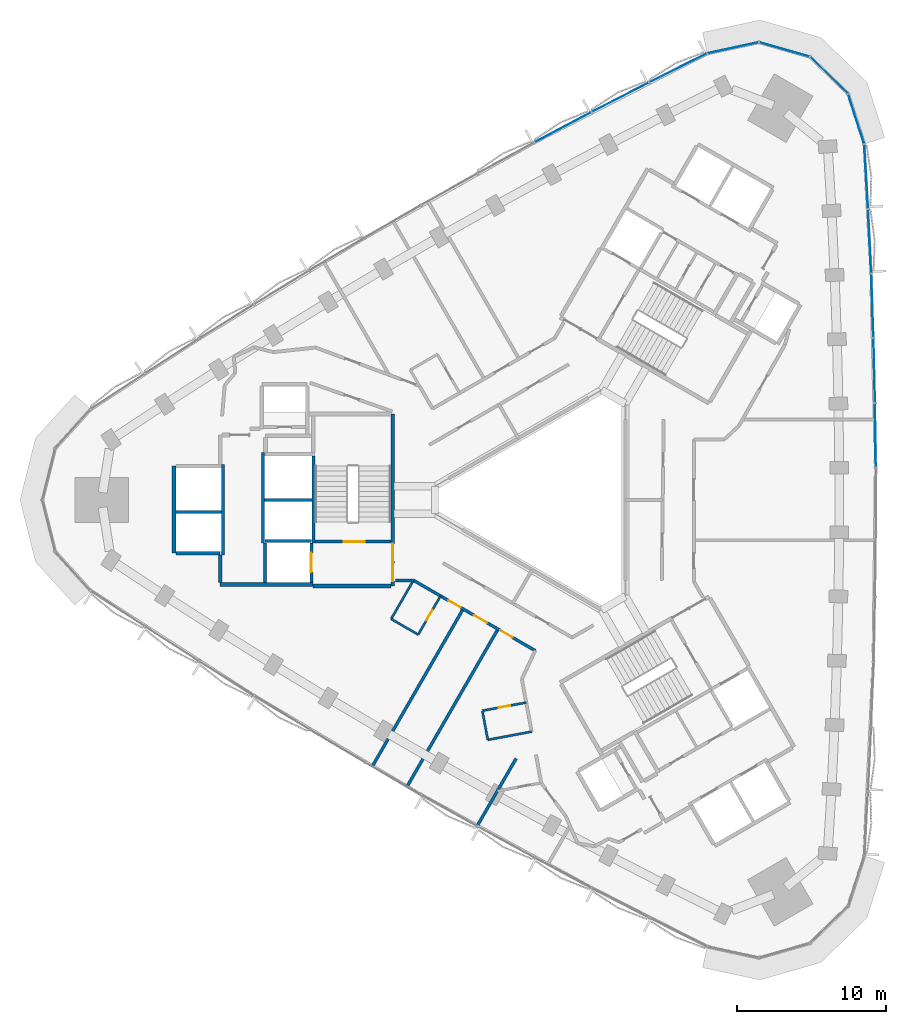
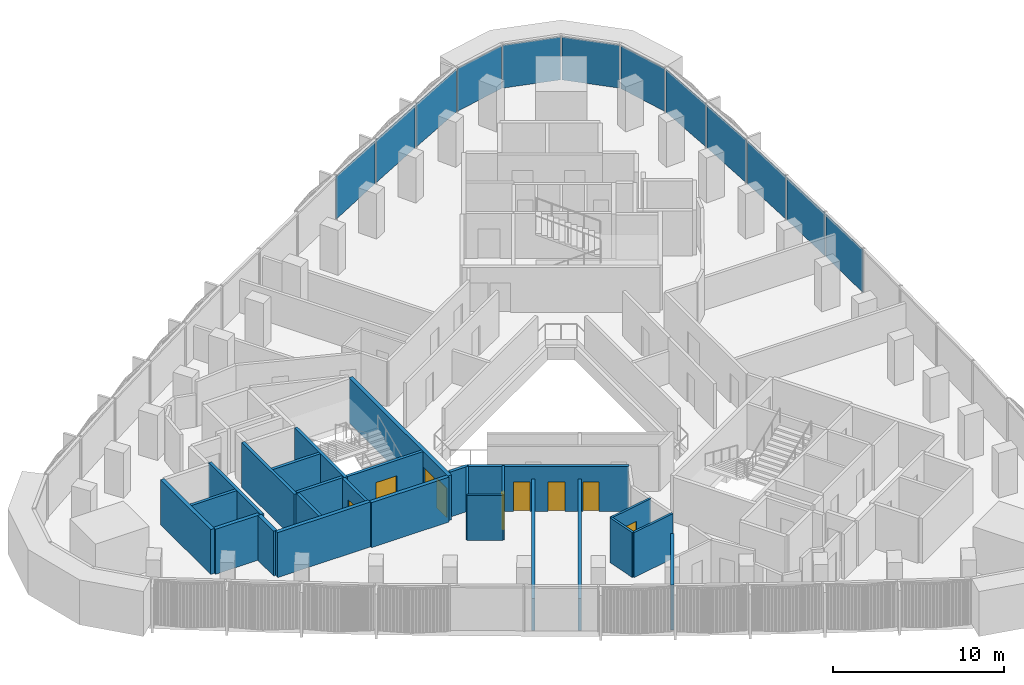
# One storey, part 7 of 14: 26 walls, 12 plates, 9 doors, 9 openings, 2 elements without a shape of their own.
"""IFC4 building model written with IfcOpenShell, lengths in metres."""

from ifc_helpers import new_model, si_unit, direction, frame, frame_2d, origin, origin_2d, place, context, subcontext, project, spatial, rectangle, extrude, material, layer, layer_set, type_object, element, fill, aggregate, save


model = new_model("IFC4")

# Units and contexts
model_context = context("Model", 3, precision=1e-05, world=origin(), true_north=direction((0.0, 1.0)))
body_context = subcontext(model_context, "Body", "Model", "MODEL_VIEW")
ifc_project = project(units=[si_unit("LENGTHUNIT", "METRE"), si_unit("AREAUNIT", "SQUARE_METRE"), si_unit("VOLUMEUNIT", "CUBIC_METRE"), si_unit("PLANEANGLEUNIT", "RADIAN"), si_unit("MASSUNIT", "GRAM", prefix="KILO")], contexts=[model_context])

# Site, building, storey
site_placement = place(None, origin())
site = spatial("IfcSite", under=ifc_project, at=site_placement, CompositionType="ELEMENT")
building_placement = place(site_placement, origin())
building = spatial("IfcBuilding", under=site, at=building_placement, Name="Tamra Quay Hotel Tower", CompositionType="ELEMENT")
storey_placement = place(building_placement, frame((0.0, 0.0, 146.800048828125)))
storey = spatial("IfcBuildingStorey", under=building, at=storey_placement, Name="L36", CompositionType="ELEMENT", Elevation=146.800048828125)

# Curtain wall, plates
ifc_material_1 = material(Name="Aluminium 6063 anodised dark grey", Category="aluminium")
curtain_wall_type_1 = type_object("IfcCurtainWallType", Name="CW1 CURTAIN WALL", PredefinedType="NOTDEFINED", material=ifc_material_1)
curtain_wall_1_placement = place(storey_placement, origin())
curtain_wall_1 = element("IfcCurtainWall", 1, at=curtain_wall_1_placement, inside=storey, type_object=curtain_wall_type_1, Name="CW1 east face L36", PredefinedType="NOTDEFINED")
ifc_material_2 = material(Name="Glass clear laminated low-iron", Category="glass")
ifc_layer_1 = layer(ifc_material_2, 0.031982421875)
ifc_layer_set_1 = layer_set([ifc_layer_1], Name="GLASS PANEL CW1 Z3")
plate_type_1 = type_object("IfcPlateType", Name="GLASS PANEL CW1 Z3", PredefinedType="CURTAIN_PANEL", material=ifc_layer_set_1)
plate_1_placement = place(storey_placement, frame((21.60546875, 4.3515625, 0.0), z_axis=(0.0, 0.0, 1.0), x_axis=(-0.011956859788, 0.999928514197, 0.0)))
plate_1 = element("IfcPlate", 2, at=plate_1_placement, type_object=plate_type_1, Name="CW1 glass L36.E.7", PredefinedType="CURTAIN_PANEL", context=body_context, shape_type="SweptSolid", body=[
    extrude(rectangle(XDim=4.2509765625, YDim=0.031982421875, at=origin_2d()), origin(), (0.0, 0.0, 1.0), 3.06005859375),
])
plate_2_placement = place(storey_placement, frame((21.527587890625, 8.70263671875, 0.0), z_axis=(0.0, 0.0, 1.0), x_axis=(-0.023895852937, 0.999714453338, 0.0)))
plate_2 = element("IfcPlate", 3, at=plate_2_placement, type_object=plate_type_1, Name="CW1 glass L36.E.8", PredefinedType="CURTAIN_PANEL", context=body_context, shape_type="SweptSolid", body=[
    extrude(rectangle(XDim=4.252685546875, YDim=0.031982421875, at=origin_2d()), origin(), (0.0, 0.0, 1.0), 3.06005859375),
])
plate_3_placement = place(storey_placement, frame((21.3974609375, 13.05322265625, 0.0), z_axis=(0.0, 0.0, 1.0), x_axis=(-0.035845418958, 0.999357346468, 0.0)))
plate_3 = element("IfcPlate", 4, at=plate_3_placement, type_object=plate_type_1, Name="CW1 glass L36.E.9", PredefinedType="CURTAIN_PANEL", context=body_context, shape_type="SweptSolid", body=[
    extrude(rectangle(XDim=4.252685546875, YDim=0.031982421875, at=origin_2d()), origin(), (0.0, 0.0, 1.0), 3.06005859375),
])
plate_4_placement = place(storey_placement, frame((21.215576171875, 17.401123046875, 0.0), z_axis=(0.0, 0.0, 1.0), x_axis=(-0.047747439326, 0.998859440581, 0.0)))
plate_4 = element("IfcPlate", 5, at=plate_4_placement, type_object=plate_type_1, Name="CW1 glass L36.E.10", PredefinedType="CURTAIN_PANEL", context=body_context, shape_type="SweptSolid", body=[
    extrude(rectangle(XDim=4.2509765625, YDim=0.031982421875, at=origin_2d()), origin(), (0.0, 0.0, 1.0), 3.06005859375),
])
plate_5_placement = place(storey_placement, frame((20.98193359375, 21.74609375, 0.0), z_axis=(0.0, 0.0, 1.0), x_axis=(-0.059641629271, 0.998219853568, 0.0)))
plate_5 = element("IfcPlate", 6, at=plate_5_placement, type_object=plate_type_1, Name="CW1 glass L36.E.11", PredefinedType="CURTAIN_PANEL", context=body_context, shape_type="SweptSolid", body=[
    extrude(rectangle(XDim=4.251708984375, YDim=0.031982421875, at=origin_2d()), origin(), (0.0, 0.0, 1.0), 3.06005859375),
])
plate_6_placement = place(storey_placement, frame((20.306884765625, 25.615234375, 0.0), z_axis=(0.0, 0.0, 1.0), x_axis=(-0.305914777883, 0.952058899792, 0.0)))
plate_6 = element("IfcPlate", 7, at=plate_6_placement, type_object=plate_type_1, Name="CW1 glass L36.E.12", PredefinedType="CURTAIN_PANEL", context=body_context, shape_type="SweptSolid", body=[
    extrude(rectangle(XDim=3.46484375, YDim=0.031982421875, at=origin_2d()), origin(), (0.0, 0.0, 1.0), 3.06005859375),
])
plate_7_placement = place(storey_placement, frame((18.480712890625, 28.5517578125, 0.0), z_axis=(0.0, 0.0, 1.0), x_axis=(-0.718584480635, 0.695439676888, 0.0)))
plate_7 = element("IfcPlate", 8, at=plate_7_placement, type_object=plate_type_1, Name="CW1 glass L36.E.13", PredefinedType="CURTAIN_PANEL", context=body_context, shape_type="SweptSolid", body=[
    extrude(rectangle(XDim=3.46484375, YDim=0.031982421875, at=origin_2d()), origin(), (0.0, 0.0, 1.0), 3.06005859375),
])
plate_8_placement = place(storey_placement, frame((15.486083984375, 30.28076171875, 0.0), z_axis=(0.0, 0.0, 1.0), x_axis=(-0.961560667302, 0.274592576551, 0.0)))
plate_8 = element("IfcPlate", 9, at=plate_8_placement, type_object=plate_type_1, Name="CW1 glass L36.E.14", PredefinedType="CURTAIN_PANEL", context=body_context, shape_type="SweptSolid", body=[
    extrude(rectangle(XDim=3.46484375, YDim=0.031982421875, at=origin_2d()), origin(), (0.0, 0.0, 1.0), 3.06005859375),
])
plate_9_placement = place(storey_placement, frame((12.030029296875, 30.393798828125, 0.0), z_axis=(0.0, 0.0, 1.0), x_axis=(-0.97746458206, -0.211099480856, 0.0)))
plate_9 = element("IfcPlate", 10, at=plate_9_placement, type_object=plate_type_1, Name="CW1 glass L36.E.15", PredefinedType="CURTAIN_PANEL", context=body_context, shape_type="SweptSolid", body=[
    extrude(rectangle(XDim=3.46484375, YDim=0.031982421875, at=origin_2d()), origin(), (0.0, 0.0, 1.0), 3.06005859375),
])
aggregate(curtain_wall_1, [plate_1, plate_2, plate_3, plate_4, plate_5, plate_6, plate_7, plate_8, plate_9])

curtain_wall_type_2 = type_object("IfcCurtainWallType", Name="CW2 CURTAIN WALL", PredefinedType="NOTDEFINED", material=ifc_material_1)
curtain_wall_2_placement = place(storey_placement, origin())
curtain_wall_2 = element("IfcCurtainWall", 11, at=curtain_wall_2_placement, inside=storey, type_object=curtain_wall_type_2, Name="CW2 north-west face L36", PredefinedType="NOTDEFINED")
ifc_layer_2 = layer(ifc_material_2, 0.031982421875)
ifc_layer_set_2 = layer_set([ifc_layer_2], Name="GLASS PANEL CW2 Z3")
plate_type_2 = type_object("IfcPlateType", Name="GLASS PANEL CW2 Z3", PredefinedType="CURTAIN_PANEL", material=ifc_layer_set_2)
plate_10_placement = place(storey_placement, frame((8.341796875, 29.0439453125, 0.0), z_axis=(0.0, 0.0, 1.0), x_axis=(-0.894304566387, -0.447458760713, 0.0)))
plate_10 = element("IfcPlate", 12, at=plate_10_placement, type_object=plate_type_2, Name="CW2 glass L36.NW.1", PredefinedType="CURTAIN_PANEL", context=body_context, shape_type="SweptSolid", body=[
    extrude(rectangle(XDim=4.251708984375, YDim=0.031982421875, at=origin_2d()), origin(), (0.0, 0.0, 1.0), 3.06005859375),
])
plate_11_placement = place(storey_placement, frame((4.462158203125, 27.073974609375, 0.0), z_axis=(0.0, 0.0, 1.0), x_axis=(-0.888911370016, -0.458079224868, 0.0)))
plate_11 = element("IfcPlate", 13, at=plate_11_placement, type_object=plate_type_2, Name="CW2 glass L36.NW.2", PredefinedType="CURTAIN_PANEL", context=body_context, shape_type="SweptSolid", body=[
    extrude(rectangle(XDim=4.2509765625, YDim=0.031982421875, at=origin_2d()), origin(), (0.0, 0.0, 1.0), 3.06005859375),
])
plate_12_placement = place(storey_placement, frame((0.605712890625, 25.057373046875, 0.0), z_axis=(0.0, 0.0, 1.0), x_axis=(-0.883391558979, -0.468635629808, 0.0)))
plate_12 = element("IfcPlate", 14, at=plate_12_placement, type_object=plate_type_2, Name="CW2 glass L36.NW.3", PredefinedType="CURTAIN_PANEL", context=body_context, shape_type="SweptSolid", body=[
    extrude(rectangle(XDim=4.252685546875, YDim=0.031982421875, at=origin_2d()), origin(), (0.0, 0.0, 1.0), 3.06005859375),
])
aggregate(curtain_wall_2, [plate_10, plate_11, plate_12])

# Walls
ifc_material_3 = material(Name="Concrete M70", Category="concrete")
ifc_layer_3 = layer(ifc_material_3, 0.199951171875)
ifc_layer_set_3 = layer_set([ifc_layer_3], Name="Concrete M70 core wall 200")
wall_type_1 = type_object("IfcWallType", Name="Concrete M70 core wall 200", PredefinedType="SHEAR", material=ifc_layer_set_3)
wall_1_placement = place(storey_placement, frame((-16.162109375, 2.95068359375, 0.0), z_axis=(0.0, 0.0, 1.0), x_axis=(0.0, -1.0, 0.0)))
element("IfcWall", 15, at=wall_1_placement, inside=storey, type_object=wall_type_1, Name="CW2", PredefinedType="SHEAR", context=body_context, shape_type="SweptSolid", body=[
    extrude(rectangle(XDim=5.850830078125, YDim=0.199951171875, at=frame_2d((2.92529296875, 0.0))), origin(), (0.0, 0.0, 1.0), 3.199951171875),
])
for number, where, z_axis, x_axis, name in (
    (16, (-19.5625, -2.900146484375, 0.0), (0.0, 0.0, 1.0), (0.0, 1.0, 0.0), "CW2"),
    (17, (-22.26220703125, 2.400146484375, 0.0), (0.0, 0.0, 1.0), (0.0, -1.0, 0.0), "CW2"),
):
    element("IfcWall", number, at=place(storey_placement, frame(where, z_axis=z_axis, x_axis=x_axis)), inside=storey, type_object=wall_type_1, Name=name, PredefinedType="SHEAR", context=body_context, shape_type="SweptSolid", body=[
        extrude(rectangle(XDim=6.100341796875, YDim=0.199951171875, at=frame_2d((3.05029296875, 0.0))), origin(), (0.0, 0.0, 1.0), 3.199951171875),
    ])

# Wall, opening, door
wall_2_placement = place(storey_placement, frame((-10.96337890625, -2.800048828125, 0.0), z_axis=(0.0, 0.0, 1.0), x_axis=(-1.0, 0.0, 0.0)))
wall_2 = element("IfcWall", 18, at=wall_2_placement, inside=storey, type_object=wall_type_1, Name="CW2", PredefinedType="SHEAR", context=body_context, shape_type="SweptSolid", body=[
    extrude(rectangle(XDim=5.097900390625, YDim=0.199951171875, at=frame_2d((2.548828125, 0.0))), origin(), (0.0, 0.0, 1.0), 3.199951171875),
])
opening_1_placement = place(wall_2_placement, frame((1.77392578125, 0.0, 0.0)))
opening_1 = element("IfcOpeningElement", 19, at=opening_1_placement, cuts=wall_2, Name="Opening FD2", PredefinedType="OPENING", context=body_context, shape_type="SweptSolid", body=[
    extrude(rectangle(XDim=1.39990234375, YDim=2.10009765625, at=frame_2d((0.699951171875, 1.050048828125))), frame((0.0, 0.10986328125, 0.0), z_axis=(0.0, -1.0, 0.0), x_axis=(1.0, 0.0, 0.0)), (0.0, 0.0, 1.0), 0.219970703125),
])
ifc_material_4 = material(Name="Core door FD2 1400x2100 RH")
door_type_1 = type_object("IfcDoorType", Name="Core door FD2 1400x2100 RH", OperationType="NOTDEFINED", PredefinedType="DOOR", material=ifc_material_4)
door_1_placement = place(opening_1_placement, origin())
door_1 = element("IfcDoor", 20, at=door_1_placement, inside=storey, type_object=door_type_1, Name="FD2", OperationType="SINGLE_SWING_RIGHT", OverallHeight=2.10009765625, OverallWidth=1.39990234375, PredefinedType="DOOR", context=body_context, shape_type="SweptSolid", body=[
    extrude(rectangle(XDim=1.39990234375, YDim=2.10009765625, at=frame_2d((0.699951171875, 1.050048828125))), frame((0.0, 0.02490234375, 0.0), z_axis=(0.0, -1.0, 0.0), x_axis=(1.0, 0.0, 0.0)), (0.0, 0.0, 1.0), 0.050048828125),
])
fill(opening_1, door_1)

# Walls
wall_3_placement = place(storey_placement, frame((-16.26318359375, 0.0, 0.0), z_axis=(0.0, 0.0, 1.0), x_axis=(-1.0, 0.0, 0.0)))
element("IfcWall", 21, at=wall_3_placement, inside=storey, type_object=wall_type_1, Name="CW2", PredefinedType="SHEAR", context=body_context, shape_type="SweptSolid", body=[
    extrude(rectangle(XDim=3.1982421875, YDim=0.199951171875, at=frame_2d((1.59912109375, 0.0))), origin(), (0.0, 0.0, 1.0), 3.199951171875),
])
wall_4_placement = place(storey_placement, frame((-22.36328125, -0.800048828125, 0.0), z_axis=(0.0, 0.0, 1.0), x_axis=(-1.0, 0.0, 0.0)))
element("IfcWall", 22, at=wall_4_placement, inside=storey, type_object=wall_type_1, Name="CW2", PredefinedType="SHEAR", context=body_context, shape_type="SweptSolid", body=[
    extrude(rectangle(XDim=3.048095703125, YDim=0.199951171875, at=frame_2d((1.52392578125, 0.0))), origin(), (0.0, 0.0, 1.0), 3.199951171875),
])
wall_5_placement = place(storey_placement, frame((-19.412353515625, -2.75, 0.0), z_axis=(0.0, 0.0, 1.0), x_axis=(1.0, 0.0, 0.0)))
element("IfcWall", 23, at=wall_5_placement, inside=storey, type_object=wall_type_1, Name="CW2", PredefinedType="SHEAR", context=body_context, shape_type="SweptSolid", body=[
    extrude(rectangle(XDim=3.10009765625, YDim=0.199951171875, at=frame_2d((1.550048828125, 0.0))), origin(), (0.0, 0.0, 1.0), 3.199951171875),
])

# Wall, opening, door
wall_6_placement = place(storey_placement, frame((-16.312255859375, -2.898193359375, 0.0), z_axis=(0.0, 0.0, 1.0), x_axis=(0.0, -1.0, 0.0)))
wall_6 = element("IfcWall", 24, at=wall_6_placement, inside=storey, type_object=wall_type_1, Name="CW2", PredefinedType="SHEAR", context=body_context, shape_type="SweptSolid", body=[
    extrude(rectangle(XDim=2.65087890625, YDim=0.199951171875, at=frame_2d((1.325439453125, 0.0))), origin(), (0.0, 0.0, 1.0), 3.199951171875),
])
opening_2_placement = place(wall_6_placement, frame((0.65185546875, 0.0, 0.0)))
opening_2 = element("IfcOpeningElement", 25, at=opening_2_placement, cuts=wall_6, Name="Opening LD", PredefinedType="OPENING", context=body_context, shape_type="SweptSolid", body=[
    extrude(rectangle(XDim=1.300048828125, YDim=2.10009765625, at=frame_2d((0.64990234375, 1.050048828125))), frame((0.0, 0.10986328125, 0.0), z_axis=(0.0, -1.0, 0.0), x_axis=(1.0, 0.0, 0.0)), (0.0, 0.0, 1.0), 0.219970703125),
])
ifc_material_5 = material(Name="Landing door LD 1300 sliding to right")
door_type_2 = type_object("IfcDoorType", Name="Landing door LD 1300 sliding to right", OperationType="NOTDEFINED", PredefinedType="DOOR", material=ifc_material_5)
door_2_placement = place(opening_2_placement, origin())
door_2 = element("IfcDoor", 26, at=door_2_placement, inside=storey, type_object=door_type_2, Name="LD", OperationType="SLIDING_TO_RIGHT", OverallHeight=2.10009765625, OverallWidth=1.300048828125, PredefinedType="DOOR", context=body_context, shape_type="SweptSolid", body=[
    extrude(rectangle(XDim=1.300048828125, YDim=2.10009765625, at=frame_2d((0.64990234375, 1.050048828125))), frame((0.0, 0.02490234375, 0.0), z_axis=(0.0, -1.0, 0.0), x_axis=(1.0, 0.0, 0.0)), (0.0, 0.0, 1.0), 0.050048828125),
])
fill(opening_2, door_2)

# Wall
wall_7_placement = place(storey_placement, frame((-19.412353515625, -5.549072265625, 0.0), z_axis=(0.0, 0.0, 1.0), x_axis=(0.0, 1.0, 0.0)))
element("IfcWall", 27, at=wall_7_placement, inside=storey, type_object=wall_type_1, Name="CW2", PredefinedType="SHEAR", context=body_context, shape_type="SweptSolid", body=[
    extrude(rectangle(XDim=2.65087890625, YDim=0.199951171875, at=frame_2d((1.325439453125, 0.0))), origin(), (0.0, 0.0, 1.0), 3.199951171875),
])

# Wall, openings, doors
ifc_layer_4 = layer(ifc_material_3, 0.25)
ifc_layer_set_4 = layer_set([ifc_layer_4], Name="Concrete M70 core wall 250")
wall_type_2 = type_object("IfcWallType", Name="Concrete M70 core wall 250", PredefinedType="SHEAR", material=ifc_layer_set_4)
wall_8_placement = place(storey_placement, frame((-10.83740234375, 5.77490234375, 0.0), z_axis=(0.0, 0.0, 1.0), x_axis=(0.0, -1.0, 0.0)))
wall_8 = element("IfcWall", 28, at=wall_8_placement, inside=storey, type_object=wall_type_2, Name="CW1", PredefinedType="SHEAR", context=body_context, shape_type="SweptSolid", body=[
    extrude(rectangle(XDim=11.5498046875, YDim=0.25, at=frame_2d((5.77490234375, 0.0))), origin(), (0.0, 0.0, 1.0), 3.199951171875),
])
opening_3_placement = place(wall_8_placement, frame((10.02490234375, 0.0, 0.0)))
opening_3 = element("IfcOpeningElement", 29, at=opening_3_placement, cuts=wall_8, Name="Opening FD1", PredefinedType="OPENING", context=body_context, shape_type="SweptSolid", body=[
    extrude(rectangle(XDim=1.199951171875, YDim=2.10009765625, at=frame_2d((0.60009765625, 1.050048828125))), frame((0.0, 0.135009765625, 0.0), z_axis=(0.0, -1.0, 0.0), x_axis=(1.0, 0.0, 0.0)), (0.0, 0.0, 1.0), 0.27001953125),
])
opening_4_placement = place(wall_8_placement, frame((8.72509765625, 0.0, 0.0)))
opening_4 = element("IfcOpeningElement", 30, at=opening_4_placement, cuts=wall_8, Name="Opening FD1", PredefinedType="OPENING", context=body_context, shape_type="SweptSolid", body=[
    extrude(rectangle(XDim=1.199951171875, YDim=2.10009765625, at=frame_2d((0.60009765625, 1.050048828125))), frame((0.0, 0.135009765625, 0.0), z_axis=(0.0, -1.0, 0.0), x_axis=(1.0, 0.0, 0.0)), (0.0, 0.0, 1.0), 0.27001953125),
])
ifc_material_6 = material(Name="Core door FD1 1200x2100 LH")
door_type_3 = type_object("IfcDoorType", Name="Core door FD1 1200x2100 LH", OperationType="NOTDEFINED", PredefinedType="DOOR", material=ifc_material_6)
door_3_placement = place(opening_3_placement, origin())
door_3 = element("IfcDoor", 31, at=door_3_placement, inside=storey, type_object=door_type_3, Name="FD1", OperationType="SINGLE_SWING_LEFT", OverallHeight=2.10009765625, OverallWidth=1.199951171875, PredefinedType="DOOR", context=body_context, shape_type="SweptSolid", body=[
    extrude(rectangle(XDim=1.199951171875, YDim=2.10009765625, at=frame_2d((0.60009765625, 1.050048828125))), frame((0.0, 0.02490234375, 0.0), z_axis=(0.0, -1.0, 0.0), x_axis=(1.0, 0.0, 0.0)), (0.0, 0.0, 1.0), 0.050048828125),
])
fill(opening_3, door_3)
ifc_material_7 = material(Name="Core door FD1 1200x2100 RH")
door_type_4 = type_object("IfcDoorType", Name="Core door FD1 1200x2100 RH", OperationType="NOTDEFINED", PredefinedType="DOOR", material=ifc_material_7)
door_4_placement = place(opening_4_placement, origin())
door_4 = element("IfcDoor", 32, at=door_4_placement, inside=storey, type_object=door_type_4, Name="FD1", OperationType="SINGLE_SWING_RIGHT", OverallHeight=2.10009765625, OverallWidth=1.199951171875, PredefinedType="DOOR", context=body_context, shape_type="SweptSolid", body=[
    extrude(rectangle(XDim=1.199951171875, YDim=2.10009765625, at=frame_2d((0.60009765625, 1.050048828125))), frame((0.0, 0.02490234375, 0.0), z_axis=(0.0, -1.0, 0.0), x_axis=(1.0, 0.0, 0.0)), (0.0, 0.0, 1.0), 0.050048828125),
])
fill(opening_4, door_4)

# Walls
wall_9_placement = place(storey_placement, frame((-16.187255859375, -5.675048828125, 0.0), z_axis=(0.0, 0.0, 1.0), x_axis=(-1.0, 0.0, 0.0)))
element("IfcWall", 33, at=wall_9_placement, inside=storey, type_object=wall_type_2, Name="CW1", PredefinedType="SHEAR", context=body_context, shape_type="SweptSolid", body=[
    extrude(rectangle(XDim=6.25, YDim=0.25, at=frame_2d((3.125, 0.0))), origin(), (0.0, 0.0, 1.0), 3.199951171875),
])
wall_10_placement = place(storey_placement, frame((-25.537353515625, -3.574951171875, 0.0), z_axis=(0.0, 0.0, 1.0), x_axis=(0.0, 1.0, 0.0)))
element("IfcWall", 34, at=wall_10_placement, inside=storey, type_object=wall_type_2, Name="CW1", PredefinedType="SHEAR", context=body_context, shape_type="SweptSolid", body=[
    extrude(rectangle(XDim=5.849853515625, YDim=0.25, at=frame_2d((2.9248046875, 0.0))), origin(), (0.0, 0.0, 1.0), 3.199951171875),
])
wall_11_placement = place(storey_placement, frame((-10.962646484375, -5.77490234375, 0.0), z_axis=(0.0, 0.0, 1.0), x_axis=(-1.0, 0.0, 0.0)))
element("IfcWall", 35, at=wall_11_placement, inside=storey, type_object=wall_type_2, Name="CW1", PredefinedType="SHEAR", context=body_context, shape_type="SweptSolid", body=[
    extrude(rectangle(XDim=5.224609375, YDim=0.25, at=frame_2d((2.6123046875, 0.0))), origin(), (0.0, 0.0, 1.0), 3.199951171875),
])
wall_12_placement = place(storey_placement, frame((-22.437255859375, -3.574951171875, 0.0), z_axis=(0.0, 0.0, 1.0), x_axis=(-1.0, 0.0, 0.0)))
element("IfcWall", 36, at=wall_12_placement, inside=storey, type_object=wall_type_2, Name="CW1", PredefinedType="SHEAR", context=body_context, shape_type="SweptSolid", body=[
    extrude(rectangle(XDim=2.974609375, YDim=0.25, at=frame_2d((1.4873046875, 0.0))), origin(), (0.0, 0.0, 1.0), 3.199951171875),
])
wall_13_placement = place(storey_placement, frame((-22.437255859375, -5.549560546875, 0.0), z_axis=(0.0, 0.0, 1.0), x_axis=(0.0, 1.0, 0.0)))
element("IfcWall", 37, at=wall_13_placement, inside=storey, type_object=wall_type_2, Name="CW1", PredefinedType="SHEAR", context=body_context, shape_type="SweptSolid", body=[
    extrude(rectangle(XDim=1.84912109375, YDim=0.25, at=frame_2d((0.924560546875, 0.0))), origin(), (0.0, 0.0, 1.0), 3.199951171875),
])
ifc_material_8 = material(Name="Partition corridor wall")
ifc_layer_5 = layer(ifc_material_8, 0.199951171875)
ifc_layer_set_5 = layer_set([ifc_layer_5], Name="Partition corridor wall")
wall_type_3 = type_object("IfcWallType", Name="Partition corridor wall", PredefinedType="PARTITIONING", material=ifc_layer_set_5)
wall_14_placement = place(storey_placement, frame((-10.65234375, -5.39990234375, 0.0), z_axis=(0.0, 0.0, 1.0), x_axis=(1.0, 0.0, 0.0)))
element("IfcWall", 38, at=wall_14_placement, inside=storey, type_object=wall_type_3, Name="W-C", PredefinedType="PARTITIONING", context=body_context, shape_type="SweptSolid", body=[
    extrude(rectangle(XDim=1.205322265625, YDim=0.199951171875, at=frame_2d((0.6025390625, 0.0))), origin(), (0.0, 0.0, 1.0), 3.199951171875),
])

# Wall, openings, doors
wall_15_placement = place(storey_placement, frame((-9.447265625, -5.400390625, 0.0), z_axis=(0.0, 0.0, 1.0), x_axis=(0.866101262146, -0.49986858644, 0.0)))
wall_15 = element("IfcWall", 39, at=wall_15_placement, inside=storey, type_object=wall_type_3, Name="W-C", PredefinedType="PARTITIONING", context=body_context, shape_type="SweptSolid", body=[
    extrude(rectangle(XDim=9.44873046875, YDim=0.199951171875, at=frame_2d((4.724365234375, 0.0))), origin(), (0.0, 0.0, 1.0), 3.199951171875),
])
opening_5_placement = place(wall_15_placement, frame((2.71826171875, 0.0, 0.0)))
opening_5 = element("IfcOpeningElement", 40, at=opening_5_placement, cuts=wall_15, Name="Opening L36-D010", PredefinedType="OPENING", context=body_context, shape_type="SweptSolid", body=[
    extrude(rectangle(XDim=0.949951171875, YDim=2.10009765625, at=frame_2d((0.47509765625, 1.050048828125))), frame((0.0, 0.10986328125, 0.0), z_axis=(0.0, -1.0, 0.0), x_axis=(1.0, 0.0, 0.0)), (0.0, 0.0, 1.0), 0.219970703125),
])
opening_6_placement = place(wall_15_placement, frame((4.706787109375, 0.0, 0.0)))
opening_6 = element("IfcOpeningElement", 41, at=opening_6_placement, cuts=wall_15, Name="Opening L36-D012", PredefinedType="OPENING", context=body_context, shape_type="SweptSolid", body=[
    extrude(rectangle(XDim=1.0, YDim=2.10009765625, at=frame_2d((0.5, 1.050048828125))), frame((0.0, 0.10986328125, 0.0), z_axis=(0.0, -1.0, 0.0), x_axis=(1.0, 0.0, 0.0)), (0.0, 0.0, 1.0), 0.219970703125),
])
opening_7_placement = place(wall_15_placement, frame((6.74609375, 0.0, 0.0)))
opening_7 = element("IfcOpeningElement", 42, at=opening_7_placement, cuts=wall_15, Name="Opening L36-D013", PredefinedType="OPENING", context=body_context, shape_type="SweptSolid", body=[
    extrude(rectangle(XDim=0.949951171875, YDim=2.10009765625, at=frame_2d((0.47509765625, 1.050048828125))), frame((0.0, 0.10986328125, 0.0), z_axis=(0.0, -1.0, 0.0), x_axis=(1.0, 0.0, 0.0)), (0.0, 0.0, 1.0), 0.219970703125),
])
ifc_material_9 = material(Name="Door guest room 1000x2100")
door_type_5 = type_object("IfcDoorType", Name="Door guest room 1000x2100", OperationType="NOTDEFINED", PredefinedType="DOOR", material=ifc_material_9)
door_5_placement = place(opening_6_placement, frame((1.0, 0.0, 0.0), z_axis=(0.0, 0.0, 1.0), x_axis=(-1.0, 0.0, 0.0)))
door_5 = element("IfcDoor", 43, at=door_5_placement, inside=storey, type_object=door_type_5, Name="L36-D012", OperationType="SINGLE_SWING_LEFT", OverallHeight=2.10009765625, OverallWidth=1.0, PredefinedType="DOOR", context=body_context, shape_type="SweptSolid", body=[
    extrude(rectangle(XDim=1.0, YDim=2.10009765625, at=frame_2d((0.5, 1.050048828125))), frame((0.0, 0.02490234375, 0.0), z_axis=(0.0, -1.0, 0.0), x_axis=(1.0, 0.0, 0.0)), (0.0, 0.0, 1.0), 0.050048828125),
])
fill(opening_6, door_5)
ifc_material_10 = material(Name="Door guest room 950x2100")
door_type_6 = type_object("IfcDoorType", Name="Door guest room 950x2100", OperationType="NOTDEFINED", PredefinedType="DOOR", material=ifc_material_10)
door_6_placement = place(opening_5_placement, frame((0.949951171875, 0.0, 0.0), z_axis=(0.0, 0.0, 1.0), x_axis=(-1.0, 0.0, 0.0)))
door_6 = element("IfcDoor", 44, at=door_6_placement, inside=storey, type_object=door_type_6, Name="L36-D010", OperationType="SINGLE_SWING_LEFT", OverallHeight=2.10009765625, OverallWidth=0.949951171875, PredefinedType="DOOR", context=body_context, shape_type="SweptSolid", body=[
    extrude(rectangle(XDim=0.949951171875, YDim=2.10009765625, at=frame_2d((0.47509765625, 1.050048828125))), frame((0.0, 0.02490234375, 0.0), z_axis=(0.0, -1.0, 0.0), x_axis=(1.0, 0.0, 0.0)), (0.0, 0.0, 1.0), 0.050048828125),
])
fill(opening_5, door_6)
door_7_placement = place(opening_7_placement, frame((0.949951171875, 0.0, 0.0), z_axis=(0.0, 0.0, 1.0), x_axis=(-1.0, 0.0, 0.0)))
door_7 = element("IfcDoor", 45, at=door_7_placement, inside=storey, type_object=door_type_6, Name="L36-D013", OperationType="SINGLE_SWING_LEFT", OverallHeight=2.10009765625, OverallWidth=0.949951171875, PredefinedType="DOOR", context=body_context, shape_type="SweptSolid", body=[
    extrude(rectangle(XDim=0.949951171875, YDim=2.10009765625, at=frame_2d((0.47509765625, 1.050048828125))), frame((0.0, 0.02490234375, 0.0), z_axis=(0.0, -1.0, 0.0), x_axis=(1.0, 0.0, 0.0)), (0.0, 0.0, 1.0), 0.050048828125),
])
fill(opening_7, door_7)

# Walls
ifc_material_11 = material(Name="Partition en-suite wall")
ifc_layer_6 = layer(ifc_material_11, 0.14990234375)
ifc_layer_set_6 = layer_set([ifc_layer_6], Name="Partition en-suite wall")
wall_type_4 = type_object("IfcWallType", Name="Partition en-suite wall", PredefinedType="PARTITIONING", material=ifc_layer_set_6)
wall_16_placement = place(storey_placement, frame((-10.946044921875, -7.99609375, 0.0), z_axis=(0.0, 0.0, 1.0), x_axis=(0.500027927039, 0.866009279501, 0.0)))
element("IfcWall", 46, at=wall_16_placement, inside=storey, type_object=wall_type_4, Name="W-E", PredefinedType="PARTITIONING", context=body_context, shape_type="SweptSolid", body=[
    extrude(rectangle(XDim=2.997802734375, YDim=0.14990234375, at=frame_2d((1.4990234375, 0.0))), origin(), (0.0, 0.0, 1.0), 3.199951171875),
])
wall_17_placement = place(storey_placement, frame((-10.945068359375, -7.9990234375, 0.0), z_axis=(0.0, 0.0, 1.0), x_axis=(0.866005190944, -0.500035008033, 0.0)))
element("IfcWall", 47, at=wall_17_placement, inside=storey, type_object=wall_type_4, Name="W-E", PredefinedType="PARTITIONING", context=body_context, shape_type="SweptSolid", body=[
    extrude(rectangle(XDim=2.095947265625, YDim=0.14990234375, at=frame_2d((1.0478515625, 0.0))), origin(), (0.0, 0.0, 1.0), 3.199951171875),
])

# Wall, opening, door
wall_18_placement = place(storey_placement, frame((-9.126953125, -9.0458984375, 0.0), z_axis=(0.0, 0.0, 1.0), x_axis=(0.499959910729, 0.866048548099, 0.0)))
wall_18 = element("IfcWall", 48, at=wall_18_placement, inside=storey, type_object=wall_type_4, Name="W-E", PredefinedType="PARTITIONING", context=body_context, shape_type="SweptSolid", body=[
    extrude(rectangle(XDim=2.996337890625, YDim=0.14990234375, at=frame_2d((1.498046875, 0.0))), origin(), (0.0, 0.0, 1.0), 3.199951171875),
])
opening_8_placement = place(wall_18_placement, frame((1.09765625, 0.0, 0.0)))
opening_8 = element("IfcOpeningElement", 49, at=opening_8_placement, cuts=wall_18, Name="Opening L36-D011", PredefinedType="OPENING", context=body_context, shape_type="SweptSolid", body=[
    extrude(rectangle(XDim=0.800048828125, YDim=2.10009765625, at=frame_2d((0.39990234375, 1.050048828125))), frame((0.0, 0.0849609375, 0.0), z_axis=(0.0, -1.0, 0.0), x_axis=(1.0, 0.0, 0.0)), (0.0, 0.0, 1.0), 0.169921875),
])
ifc_material_12 = material(Name="Door en-suite 800x2100")
door_type_7 = type_object("IfcDoorType", Name="Door en-suite 800x2100", OperationType="NOTDEFINED", PredefinedType="DOOR", material=ifc_material_12)
door_8_placement = place(opening_8_placement, origin())
door_8 = element("IfcDoor", 50, at=door_8_placement, inside=storey, type_object=door_type_7, Name="L36-D011", OperationType="SINGLE_SWING_LEFT", OverallHeight=2.10009765625, OverallWidth=0.800048828125, PredefinedType="DOOR", context=body_context, shape_type="SweptSolid", body=[
    extrude(rectangle(XDim=0.800048828125, YDim=2.10009765625, at=frame_2d((0.39990234375, 1.050048828125))), frame((0.0, 0.02490234375, 0.0), z_axis=(0.0, -1.0, 0.0), x_axis=(1.0, 0.0, 0.0)), (0.0, 0.0, 1.0), 0.050048828125),
])
fill(opening_8, door_8)

# Wall
wall_19_placement = place(storey_placement, frame((-4.81689453125, -14.166015625, 0.0), z_axis=(0.0, 0.0, 1.0), x_axis=(0.183903339385, -0.982944332993, 0.0)))
element("IfcWall", 51, at=wall_19_placement, inside=storey, type_object=wall_type_4, Name="W-E", PredefinedType="PARTITIONING", context=body_context, shape_type="SweptSolid", body=[
    extrude(rectangle(XDim=1.989990234375, YDim=0.14990234375, at=frame_2d((0.9951171875, 0.0))), origin(), (0.0, 0.0, 1.0), 3.199951171875),
])

# Wall, opening, door
wall_20_placement = place(storey_placement, frame((-4.81689453125, -14.166015625, 0.0), z_axis=(0.0, 0.0, 1.0), x_axis=(0.982987155193, 0.183674311555, 0.0)))
wall_20 = element("IfcWall", 52, at=wall_20_placement, inside=storey, type_object=wall_type_4, Name="W-E", PredefinedType="PARTITIONING", context=body_context, shape_type="SweptSolid", body=[
    extrude(rectangle(XDim=3.0, YDim=0.14990234375, at=frame_2d((1.5, 0.0))), origin(), (0.0, 0.0, 1.0), 3.199951171875),
])
opening_9_placement = place(wall_20_placement, frame((1.100341796875, 0.0, 0.0)))
opening_9 = element("IfcOpeningElement", 53, at=opening_9_placement, cuts=wall_20, Name="Opening L36-D014", PredefinedType="OPENING", context=body_context, shape_type="SweptSolid", body=[
    extrude(rectangle(XDim=0.800048828125, YDim=2.10009765625, at=frame_2d((0.39990234375, 1.050048828125))), frame((0.0, 0.0849609375, 0.0), z_axis=(0.0, -1.0, 0.0), x_axis=(1.0, 0.0, 0.0)), (0.0, 0.0, 1.0), 0.169921875),
])
door_9_placement = place(opening_9_placement, frame((0.800048828125, 0.0, 0.0), z_axis=(0.0, 0.0, 1.0), x_axis=(-1.0, 0.0, 0.0)))
door_9 = element("IfcDoor", 54, at=door_9_placement, inside=storey, type_object=door_type_7, Name="L36-D014", OperationType="SINGLE_SWING_LEFT", OverallHeight=2.10009765625, OverallWidth=0.800048828125, PredefinedType="DOOR", context=body_context, shape_type="SweptSolid", body=[
    extrude(rectangle(XDim=0.800048828125, YDim=2.10009765625, at=frame_2d((0.39990234375, 1.050048828125))), frame((0.0, 0.02490234375, 0.0), z_axis=(0.0, -1.0, 0.0), x_axis=(1.0, 0.0, 0.0)), (0.0, 0.0, 1.0), 0.050048828125),
])
fill(opening_9, door_9)

# Walls
wall_21_placement = place(storey_placement, frame((-4.450927734375, -16.1220703125, 0.0), z_axis=(0.0, 0.0, 1.0), x_axis=(0.982928336035, 0.18398882091, 0.0)))
element("IfcWall", 55, at=wall_21_placement, inside=storey, type_object=wall_type_4, Name="W-E", PredefinedType="PARTITIONING", context=body_context, shape_type="SweptSolid", body=[
    extrude(rectangle(XDim=3.000244140625, YDim=0.14990234375, at=frame_2d((1.5, 0.0))), origin(), (0.0, 0.0, 1.0), 3.199951171875),
])
ifc_material_13 = material(Name="Partition party wall")
ifc_layer_7 = layer(ifc_material_13, 0.199951171875)
ifc_layer_set_7 = layer_set([ifc_layer_7], Name="Partition party wall")
wall_type_5 = type_object("IfcWallType", Name="Partition party wall", PredefinedType="PARTITIONING", material=ifc_layer_set_7)
wall_22_placement = place(storey_placement, frame((-12.219970703125, -17.9169921875, 0.0), z_axis=(0.0, 0.0, 1.0), x_axis=(0.499963860175, 0.866046268117, 0.0)))
element("IfcWall", 56, at=wall_22_placement, inside=storey, type_object=wall_type_5, Name="W-P", PredefinedType="PARTITIONING", context=body_context, shape_type="SweptSolid", body=[
    extrude(rectangle(XDim=12.22705078125, YDim=0.199951171875, at=frame_2d((6.113525390625, 0.0))), origin(), (0.0, 0.0, 1.0), 2.300048828125),
])
wall_23_placement = place(storey_placement, frame((-9.881591796875, -19.26708984375, 0.0), z_axis=(0.0, 0.0, 1.0), x_axis=(0.499993811829, 0.866028976497, 0.0)))
element("IfcWall", 57, at=wall_23_placement, inside=storey, type_object=wall_type_5, Name="W-P", PredefinedType="PARTITIONING", context=body_context, shape_type="SweptSolid", body=[
    extrude(rectangle(XDim=12.227294921875, YDim=0.199951171875, at=frame_2d((6.11376953125, 0.0))), origin(), (0.0, 0.0, 1.0), 2.300048828125),
])
wall_24_placement = place(storey_placement, frame((-5.172607421875, -21.92626953125, 0.0), z_axis=(0.0, 0.0, 1.0), x_axis=(0.499941227542, 0.86605933342, 0.0)))
element("IfcWall", 58, at=wall_24_placement, inside=storey, type_object=wall_type_5, Name="W-P", PredefinedType="PARTITIONING", context=body_context, shape_type="SweptSolid", body=[
    extrude(rectangle(XDim=5.248779296875, YDim=0.199951171875, at=frame_2d((2.62451171875, 0.0))), origin(), (0.0, 0.0, 1.0), 3.199951171875),
])

save(model, "model.ifc")
